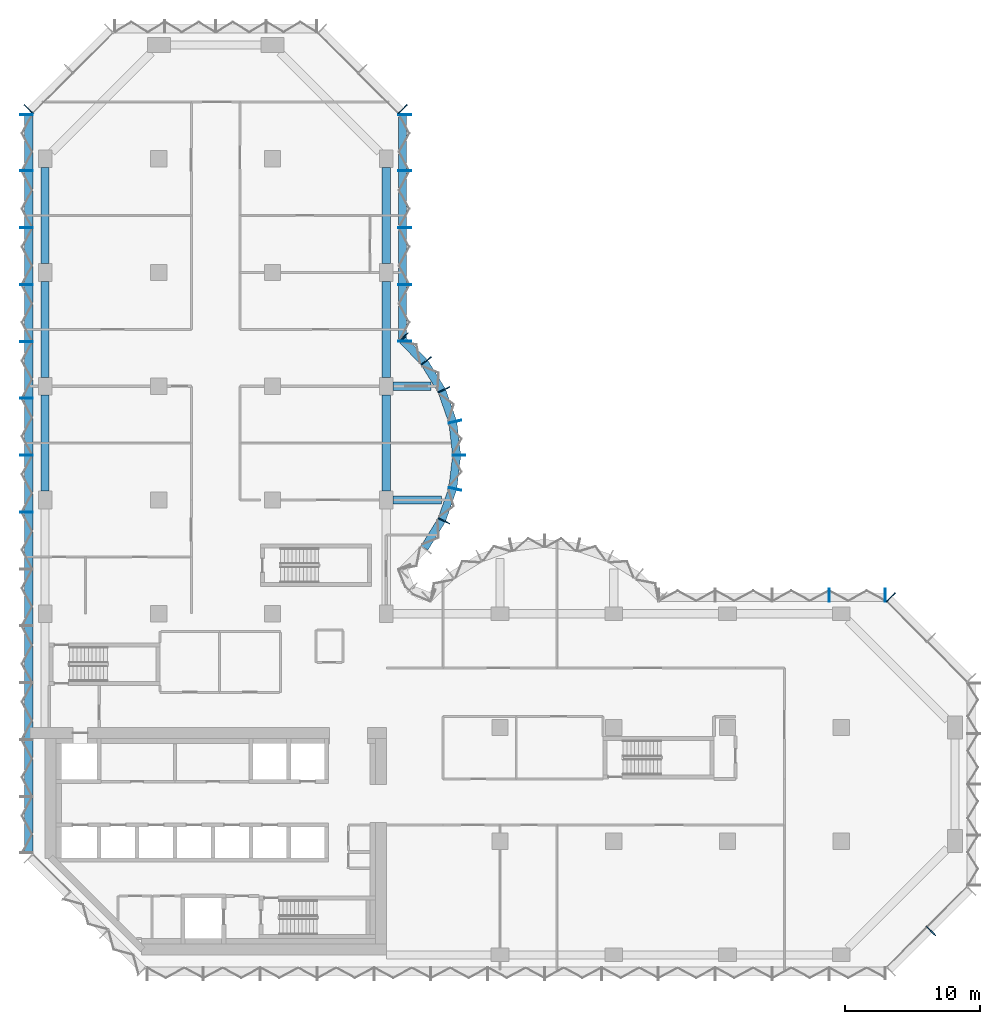
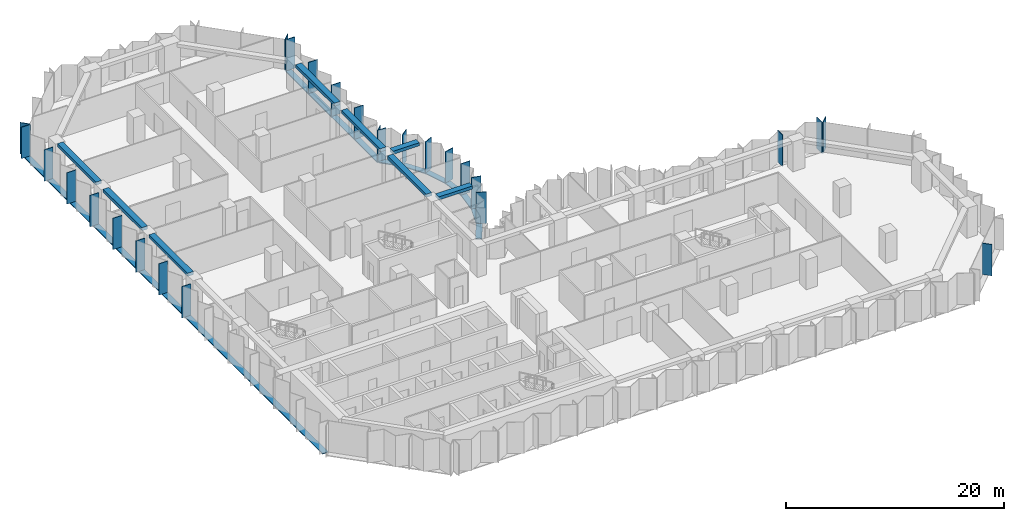
# One storey, part 3 of 13: 35 members, 8 beams, 8 elements without a shape of their own.
"""IFC4 building model written with IfcOpenShell, lengths in metres."""

from ifc_helpers import new_model, si_unit, direction, frame, origin, origin_2d, place, context, subcontext, project, spatial, rectangle, extrude, material, material_profile, profile_set, type_object, element, aggregate, save


model = new_model("IFC4")

# Units and contexts
model_context = context("Model", 3, precision=1e-05, world=origin(), true_north=direction((0.0, 1.0)))
body_context = subcontext(model_context, "Body", "Model", "MODEL_VIEW")
ifc_project = project(units=[si_unit("LENGTHUNIT", "METRE"), si_unit("AREAUNIT", "SQUARE_METRE"), si_unit("VOLUMEUNIT", "CUBIC_METRE"), si_unit("PLANEANGLEUNIT", "RADIAN"), si_unit("MASSUNIT", "GRAM", prefix="KILO")], contexts=[model_context])

# Site, building, storey
site_placement = place(None, origin())
site = spatial("IfcSite", under=ifc_project, at=site_placement, CompositionType="ELEMENT")
building_placement = place(site_placement, origin())
building = spatial("IfcBuilding", under=site, at=building_placement, Name="Brevane Broadcast Tower", CompositionType="ELEMENT")
storey_placement = place(building_placement, frame((0.0, 0.0, 91.699951171875)))
storey = spatial("IfcBuildingStorey", under=building, at=storey_placement, Name="L21", CompositionType="ELEMENT", Elevation=91.699951171875)

# Curtain wall, member
ifc_material_1 = material(Name="Aluminium 6063-T6 bronze anodised", Category="aluminium")
curtain_wall_type = type_object("IfcCurtainWallType", Name="CW-1 curtain wall", PredefinedType="NOTDEFINED", material=ifc_material_1)
curtain_wall_1_placement = place(storey_placement, origin())
curtain_wall_1 = element("IfcCurtainWall", 1, at=curtain_wall_1_placement, inside=storey, type_object=curtain_wall_type, Name="CW-1 typical tilted unit L21 south-east chamfer", PredefinedType="NOTDEFINED")
ifc_material_profile_1 = material_profile(ifc_material_1, rectangle(XDim=0.949951171875, YDim=0.070068359375, at=origin_2d()), Name="RECT 70x950")
ifc_profile_set_1 = profile_set([ifc_material_profile_1], Name="Aluminium 6063-T6 bronze anodised")
member_type_1 = type_object("IfcMemberType", Name="CW-1 mullion 70x950", PredefinedType="MULLION", material=ifc_profile_set_1)
member_1_placement = place(storey_placement, frame((65.435791015625, 1.76416015625, -0.14990234375), z_axis=(0.0, 0.0, 1.0), x_axis=(-0.707106781187, 0.707106781187, 0.0)))
member_1 = element("IfcMember", 2, at=member_1_placement, type_object=member_type_1, Name="CW-1 mullion", PredefinedType="MULLION", context=body_context, shape_type="SweptSolid", body=[
    extrude(rectangle(XDim=0.949951171875, YDim=0.070068359375, at=origin_2d()), origin(), (0.0, 0.0, 1.0), 3.5),
])
aggregate(curtain_wall_1, [member_1])

curtain_wall_2_placement = place(storey_placement, origin())
curtain_wall_2 = element("IfcCurtainWall", 3, at=curtain_wall_2_placement, inside=storey, type_object=curtain_wall_type, Name="CW-1 typical tilted unit L21 north-east chamfer", PredefinedType="NOTDEFINED")
member_2_placement = place(storey_placement, frame((62.460693359375, 26.4111328125, -0.14990234375), z_axis=(0.0, 0.0, 1.0), x_axis=(-0.707106781187, -0.707106781187, 0.0)))
member_2 = element("IfcMember", 4, at=member_2_placement, type_object=member_type_1, Name="CW-1 mullion", PredefinedType="MULLION", context=body_context, shape_type="SweptSolid", body=[
    extrude(rectangle(XDim=0.949951171875, YDim=0.070068359375, at=origin_2d()), origin(), (0.0, 0.0, 1.0), 3.5),
])
aggregate(curtain_wall_2, [member_2])

# Curtain wall, members
curtain_wall_3_placement = place(storey_placement, origin())
curtain_wall_3 = element("IfcCurtainWall", 5, at=curtain_wall_3_placement, inside=storey, type_object=curtain_wall_type, Name="CW-1 typical tilted unit L21 east arm north face", PredefinedType="NOTDEFINED")
member_3_placement = place(storey_placement, frame((62.06494140625, 26.574951171875, -0.14990234375), z_axis=(0.0, 0.0, 1.0), x_axis=(0.0, -1.0, 0.0)))
member_3 = element("IfcMember", 6, at=member_3_placement, type_object=member_type_1, Name="CW-1 mullion", PredefinedType="MULLION", context=body_context, shape_type="SweptSolid", body=[
    extrude(rectangle(XDim=0.949951171875, YDim=0.070068359375, at=origin_2d()), origin(), (0.0, 0.0, 1.0), 3.5),
])
member_4_placement = place(storey_placement, frame((57.89990234375, 26.574951171875, -0.14990234375), z_axis=(0.0, 0.0, 1.0), x_axis=(0.0, -1.0, 0.0)))
member_4 = element("IfcMember", 7, at=member_4_placement, type_object=member_type_1, Name="CW-1 mullion", PredefinedType="MULLION", context=body_context, shape_type="SweptSolid", body=[
    extrude(rectangle(XDim=0.949951171875, YDim=0.070068359375, at=origin_2d()), origin(), (0.0, 0.0, 1.0), 3.5),
])
aggregate(curtain_wall_3, [member_3, member_4])

curtain_wall_4_placement = place(storey_placement, origin())
curtain_wall_4 = element("IfcCurtainWall", 8, at=curtain_wall_4_placement, inside=storey, type_object=curtain_wall_type, Name="CW-1 typical tilted unit L21 north bow", PredefinedType="NOTDEFINED")
member_5_placement = place(storey_placement, frame((29.4580078125, 32.05322265625, -0.14990234375), z_axis=(0.0, 0.0, 1.0), x_axis=(-0.902860508933, 0.429933601163, 0.0)))
member_5 = element("IfcMember", 9, at=member_5_placement, type_object=member_type_1, Name="CW-1 mullion", PredefinedType="MULLION", context=body_context, shape_type="SweptSolid", body=[
    extrude(rectangle(XDim=0.949951171875, YDim=0.070068359375, at=origin_2d()), origin(), (0.0, 0.0, 1.0), 3.5),
])
member_6_placement = place(storey_placement, frame((30.28076171875, 34.411865234375, -0.14990234375), z_axis=(0.0, 0.0, 1.0), x_axis=(-0.974403430594, 0.224806482215, 0.0)))
member_6 = element("IfcMember", 10, at=member_6_placement, type_object=member_type_1, Name="CW-1 mullion", PredefinedType="MULLION", context=body_context, shape_type="SweptSolid", body=[
    extrude(rectangle(XDim=0.949951171875, YDim=0.070068359375, at=origin_2d()), origin(), (0.0, 0.0, 1.0), 3.5),
])
member_7_placement = place(storey_placement, frame((30.574951171875, 36.89990234375, -0.14990234375), z_axis=(0.0, 0.0, 1.0), x_axis=(-1.0, 0.0, 0.0)))
member_7 = element("IfcMember", 11, at=member_7_placement, type_object=member_type_1, Name="CW-1 mullion", PredefinedType="MULLION", context=body_context, shape_type="SweptSolid", body=[
    extrude(rectangle(XDim=0.949951171875, YDim=0.070068359375, at=origin_2d()), origin(), (0.0, 0.0, 1.0), 3.5),
])
member_8_placement = place(storey_placement, frame((30.28076171875, 39.38818359375, -0.14990234375), z_axis=(0.0, 0.0, 1.0), x_axis=(-0.974403430594, -0.224806482215, 0.0)))
member_8 = element("IfcMember", 12, at=member_8_placement, type_object=member_type_1, Name="CW-1 mullion", PredefinedType="MULLION", context=body_context, shape_type="SweptSolid", body=[
    extrude(rectangle(XDim=0.949951171875, YDim=0.070068359375, at=origin_2d()), origin(), (0.0, 0.0, 1.0), 3.5),
])
member_9_placement = place(storey_placement, frame((29.4580078125, 41.746826171875, -0.14990234375), z_axis=(0.0, 0.0, 1.0), x_axis=(-0.902860508933, -0.429933601163, 0.0)))
member_9 = element("IfcMember", 13, at=member_9_placement, type_object=member_type_1, Name="CW-1 mullion", PredefinedType="MULLION", context=body_context, shape_type="SweptSolid", body=[
    extrude(rectangle(XDim=0.949951171875, YDim=0.070068359375, at=origin_2d()), origin(), (0.0, 0.0, 1.0), 3.5),
])
member_10_placement = place(storey_placement, frame((28.1455078125, 43.8720703125, -0.14990234375), z_axis=(0.0, 0.0, 1.0), x_axis=(-0.788706642853, -0.614769738617, 0.0)))
member_10 = element("IfcMember", 14, at=member_10_placement, type_object=member_type_1, Name="CW-1 mullion", PredefinedType="MULLION", context=body_context, shape_type="SweptSolid", body=[
    extrude(rectangle(XDim=0.949951171875, YDim=0.070068359375, at=origin_2d()), origin(), (0.0, 0.0, 1.0), 3.5),
])
member_11_placement = place(storey_placement, frame((26.465087890625, 45.60595703125, -0.14990234375), z_axis=(0.0, 0.0, 1.0), x_axis=(-0.717253872699, -0.696811941702, 0.0)))
member_11 = element("IfcMember", 15, at=member_11_placement, type_object=member_type_1, Name="CW-1 mullion", PredefinedType="MULLION", context=body_context, shape_type="SweptSolid", body=[
    extrude(rectangle(XDim=0.949951171875, YDim=0.070068359375, at=origin_2d()), origin(), (0.0, 0.0, 1.0), 3.5),
])

curtain_wall_5_placement = place(storey_placement, origin())
curtain_wall_5 = element("IfcCurtainWall", 16, at=curtain_wall_5_placement, inside=storey, type_object=curtain_wall_type, Name="CW-1 typical tilted unit L21 north arm east face", PredefinedType="NOTDEFINED")
member_12_placement = place(storey_placement, frame((26.574951171875, 45.3349609375, -0.14990234375), z_axis=(0.0, 0.0, 1.0), x_axis=(-1.0, 0.0, 0.0)))
member_12 = element("IfcMember", 17, at=member_12_placement, type_object=member_type_1, Name="CW-1 mullion", PredefinedType="MULLION", context=body_context, shape_type="SweptSolid", body=[
    extrude(rectangle(XDim=0.949951171875, YDim=0.070068359375, at=origin_2d()), origin(), (0.0, 0.0, 1.0), 3.5),
])
member_13_placement = place(storey_placement, frame((26.574951171875, 49.5, -0.14990234375), z_axis=(0.0, 0.0, 1.0), x_axis=(-1.0, 0.0, 0.0)))
member_13 = element("IfcMember", 18, at=member_13_placement, type_object=member_type_1, Name="CW-1 mullion", PredefinedType="MULLION", context=body_context, shape_type="SweptSolid", body=[
    extrude(rectangle(XDim=0.949951171875, YDim=0.070068359375, at=origin_2d()), origin(), (0.0, 0.0, 1.0), 3.5),
])
member_14_placement = place(storey_placement, frame((26.574951171875, 53.699951171875, -0.14990234375), z_axis=(0.0, 0.0, 1.0), x_axis=(-1.0, 0.0, 0.0)))
member_14 = element("IfcMember", 19, at=member_14_placement, type_object=member_type_1, Name="CW-1 mullion", PredefinedType="MULLION", context=body_context, shape_type="SweptSolid", body=[
    extrude(rectangle(XDim=0.949951171875, YDim=0.070068359375, at=origin_2d()), origin(), (0.0, 0.0, 1.0), 3.5),
])
member_15_placement = place(storey_placement, frame((26.574951171875, 57.89990234375, -0.14990234375), z_axis=(0.0, 0.0, 1.0), x_axis=(-1.0, 0.0, 0.0)))
member_15 = element("IfcMember", 20, at=member_15_placement, type_object=member_type_1, Name="CW-1 mullion", PredefinedType="MULLION", context=body_context, shape_type="SweptSolid", body=[
    extrude(rectangle(XDim=0.949951171875, YDim=0.070068359375, at=origin_2d()), origin(), (0.0, 0.0, 1.0), 3.5),
])
member_16_placement = place(storey_placement, frame((26.574951171875, 62.06494140625, -0.14990234375), z_axis=(0.0, 0.0, 1.0), x_axis=(-1.0, 0.0, 0.0)))
member_16 = element("IfcMember", 21, at=member_16_placement, type_object=member_type_1, Name="CW-1 mullion", PredefinedType="MULLION", context=body_context, shape_type="SweptSolid", body=[
    extrude(rectangle(XDim=0.949951171875, YDim=0.070068359375, at=origin_2d()), origin(), (0.0, 0.0, 1.0), 3.5),
])

# Curtain wall, member
curtain_wall_6_placement = place(storey_placement, origin())
curtain_wall_6 = element("IfcCurtainWall", 22, at=curtain_wall_6_placement, inside=storey, type_object=curtain_wall_type, Name="CW-1 typical tilted unit L21 north arm north-east chamfer", PredefinedType="NOTDEFINED")
member_17_placement = place(storey_placement, frame((26.4111328125, 62.460693359375, -0.14990234375), z_axis=(0.0, 0.0, 1.0), x_axis=(-0.707106781187, -0.707106781187, 0.0)))
member_17 = element("IfcMember", 23, at=member_17_placement, type_object=member_type_1, Name="CW-1 mullion", PredefinedType="MULLION", context=body_context, shape_type="SweptSolid", body=[
    extrude(rectangle(XDim=0.949951171875, YDim=0.070068359375, at=origin_2d()), origin(), (0.0, 0.0, 1.0), 3.5),
])
aggregate(curtain_wall_6, [member_17])

curtain_wall_7_placement = place(storey_placement, origin())
curtain_wall_7 = element("IfcCurtainWall", 24, at=curtain_wall_7_placement, inside=storey, type_object=curtain_wall_type, Name="CW-1 typical tilted unit L21 north-west chamfer", PredefinedType="NOTDEFINED")
member_18_placement = place(storey_placement, frame((-1.211181640625, 62.460693359375, -0.14990234375), z_axis=(0.0, 0.0, 1.0), x_axis=(0.707106781187, -0.707106781187, 0.0)))
member_18 = element("IfcMember", 25, at=member_18_placement, type_object=member_type_1, Name="CW-1 mullion", PredefinedType="MULLION", context=body_context, shape_type="SweptSolid", body=[
    extrude(rectangle(XDim=0.949951171875, YDim=0.070068359375, at=origin_2d()), origin(), (0.0, 0.0, 1.0), 3.5),
])
aggregate(curtain_wall_7, [member_18])

# Curtain wall, members
curtain_wall_8_placement = place(storey_placement, origin())
curtain_wall_8 = element("IfcCurtainWall", 26, at=curtain_wall_8_placement, inside=storey, type_object=curtain_wall_type, Name="CW-1 typical tilted unit L21 west face", PredefinedType="NOTDEFINED")
member_19_placement = place(storey_placement, frame((-1.375, 62.06494140625, -0.14990234375), z_axis=(0.0, 0.0, 1.0), x_axis=(1.0, 0.0, 0.0)))
member_19 = element("IfcMember", 27, at=member_19_placement, type_object=member_type_1, Name="CW-1 mullion", PredefinedType="MULLION", context=body_context, shape_type="SweptSolid", body=[
    extrude(rectangle(XDim=0.949951171875, YDim=0.070068359375, at=origin_2d()), origin(), (0.0, 0.0, 1.0), 3.5),
])
member_20_placement = place(storey_placement, frame((-1.375, 57.89990234375, -0.14990234375), z_axis=(0.0, 0.0, 1.0), x_axis=(1.0, 0.0, 0.0)))
member_20 = element("IfcMember", 28, at=member_20_placement, type_object=member_type_1, Name="CW-1 mullion", PredefinedType="MULLION", context=body_context, shape_type="SweptSolid", body=[
    extrude(rectangle(XDim=0.949951171875, YDim=0.070068359375, at=origin_2d()), origin(), (0.0, 0.0, 1.0), 3.5),
])
member_21_placement = place(storey_placement, frame((-1.375, 53.699951171875, -0.14990234375), z_axis=(0.0, 0.0, 1.0), x_axis=(1.0, 0.0, 0.0)))
member_21 = element("IfcMember", 29, at=member_21_placement, type_object=member_type_1, Name="CW-1 mullion", PredefinedType="MULLION", context=body_context, shape_type="SweptSolid", body=[
    extrude(rectangle(XDim=0.949951171875, YDim=0.070068359375, at=origin_2d()), origin(), (0.0, 0.0, 1.0), 3.5),
])
member_22_placement = place(storey_placement, frame((-1.375, 49.5, -0.14990234375), z_axis=(0.0, 0.0, 1.0), x_axis=(1.0, 0.0, 0.0)))
member_22 = element("IfcMember", 30, at=member_22_placement, type_object=member_type_1, Name="CW-1 mullion", PredefinedType="MULLION", context=body_context, shape_type="SweptSolid", body=[
    extrude(rectangle(XDim=0.949951171875, YDim=0.070068359375, at=origin_2d()), origin(), (0.0, 0.0, 1.0), 3.5),
])
member_23_placement = place(storey_placement, frame((-1.375, 45.300048828125, -0.14990234375), z_axis=(0.0, 0.0, 1.0), x_axis=(1.0, 0.0, 0.0)))
member_23 = element("IfcMember", 31, at=member_23_placement, type_object=member_type_1, Name="CW-1 mullion", PredefinedType="MULLION", context=body_context, shape_type="SweptSolid", body=[
    extrude(rectangle(XDim=0.949951171875, YDim=0.070068359375, at=origin_2d()), origin(), (0.0, 0.0, 1.0), 3.5),
])
member_24_placement = place(storey_placement, frame((-1.375, 41.10009765625, -0.14990234375), z_axis=(0.0, 0.0, 1.0), x_axis=(1.0, 0.0, 0.0)))
member_24 = element("IfcMember", 32, at=member_24_placement, type_object=member_type_1, Name="CW-1 mullion", PredefinedType="MULLION", context=body_context, shape_type="SweptSolid", body=[
    extrude(rectangle(XDim=0.949951171875, YDim=0.070068359375, at=origin_2d()), origin(), (0.0, 0.0, 1.0), 3.5),
])
member_25_placement = place(storey_placement, frame((-1.375, 36.89990234375, -0.14990234375), z_axis=(0.0, 0.0, 1.0), x_axis=(1.0, 0.0, 0.0)))
member_25 = element("IfcMember", 33, at=member_25_placement, type_object=member_type_1, Name="CW-1 mullion", PredefinedType="MULLION", context=body_context, shape_type="SweptSolid", body=[
    extrude(rectangle(XDim=0.949951171875, YDim=0.070068359375, at=origin_2d()), origin(), (0.0, 0.0, 1.0), 3.5),
])
member_26_placement = place(storey_placement, frame((-1.375, 32.699951171875, -0.14990234375), z_axis=(0.0, 0.0, 1.0), x_axis=(1.0, 0.0, 0.0)))
member_26 = element("IfcMember", 34, at=member_26_placement, type_object=member_type_1, Name="CW-1 mullion", PredefinedType="MULLION", context=body_context, shape_type="SweptSolid", body=[
    extrude(rectangle(XDim=0.949951171875, YDim=0.070068359375, at=origin_2d()), origin(), (0.0, 0.0, 1.0), 3.5),
])

# Member
ifc_material_profile_2 = material_profile(ifc_material_1, rectangle(XDim=0.60009765625, YDim=0.10009765625, at=origin_2d()), Name="RECT 100x600")
ifc_profile_set_2 = profile_set([ifc_material_profile_2], Name="Aluminium 6063-T6 bronze anodised")
member_type_2 = type_object("IfcMemberType", Name="CW-1 transom 100x600", PredefinedType="USERDEFINED", material=ifc_profile_set_2)
member_27_placement = place(storey_placement, frame((28.023193359375, 30.0576171875, -0.199951171875), z_axis=(0.525427766759, 0.850838211365, 0.0), x_axis=(-0.850838211365, 0.525427766759, 0.0)))
member_27 = element("IfcMember", 35, at=member_27_placement, type_object=member_type_2, Name="CW-1 transom", ObjectType="TRANSOM", PredefinedType="USERDEFINED", context=body_context, shape_type="SweptSolid", body=[
    extrude(rectangle(XDim=0.60009765625, YDim=0.10009765625, at=origin_2d()), origin(), (0.0, 0.0, 1.0), 2.394775390625),
])

member_28_placement = place(storey_placement, frame((29.314208984375, 32.163818359375, -0.199951171875), z_axis=(0.329378497041, 0.944197969542, 0.0), x_axis=(-0.944197969542, 0.329378497041, 0.0)))
member_28 = element("IfcMember", 36, at=member_28_placement, type_object=member_type_2, Name="CW-1 transom", ObjectType="TRANSOM", PredefinedType="USERDEFINED", context=body_context, shape_type="SweptSolid", body=[
    extrude(rectangle(XDim=0.60009765625, YDim=0.10009765625, at=origin_2d()), origin(), (0.0, 0.0, 1.0), 2.394775390625),
])

member_29_placement = place(storey_placement, frame((30.117431640625, 34.499755859375, -0.199951171875), z_axis=(0.117603307202, 0.993060653805, 0.0), x_axis=(-0.993060653805, 0.117603307202, 0.0)))
member_29 = element("IfcMember", 37, at=member_29_placement, type_object=member_type_2, Name="CW-1 transom", ObjectType="TRANSOM", PredefinedType="USERDEFINED", context=body_context, shape_type="SweptSolid", body=[
    extrude(rectangle(XDim=0.60009765625, YDim=0.10009765625, at=origin_2d()), origin(), (0.0, 0.0, 1.0), 2.397705078125),
])

member_30_placement = place(storey_placement, frame((30.3994140625, 36.9189453125, -0.199951171875), z_axis=(-0.117591417, 0.993062061831, 0.0), x_axis=(-0.993062061831, -0.117591417, 0.0)))
member_30 = element("IfcMember", 38, at=member_30_placement, type_object=member_type_2, Name="CW-1 transom", ObjectType="TRANSOM", PredefinedType="USERDEFINED", context=body_context, shape_type="SweptSolid", body=[
    extrude(rectangle(XDim=0.60009765625, YDim=0.10009765625, at=origin_2d()), origin(), (0.0, 0.0, 1.0), 2.39794921875),
])

member_31_placement = place(storey_placement, frame((30.10302734375, 39.375, -0.199951171875), z_axis=(-0.329378497041, 0.944197969542, 0.0), x_axis=(-0.944197969542, -0.329378497041, 0.0)))
member_31 = element("IfcMember", 39, at=member_31_placement, type_object=member_type_2, Name="CW-1 transom", ObjectType="TRANSOM", PredefinedType="USERDEFINED", context=body_context, shape_type="SweptSolid", body=[
    extrude(rectangle(XDim=0.60009765625, YDim=0.10009765625, at=origin_2d()), origin(), (0.0, 0.0, 1.0), 2.394775390625),
])

member_32_placement = place(storey_placement, frame((29.281494140625, 41.704833984375, -0.199951171875), z_axis=(-0.525473345162, 0.850810063131, 0.0), x_axis=(-0.850810063131, -0.525473345162, 0.0)))
member_32 = element("IfcMember", 40, at=member_32_placement, type_object=member_type_2, Name="CW-1 transom", ObjectType="TRANSOM", PredefinedType="USERDEFINED", context=body_context, shape_type="SweptSolid", body=[
    extrude(rectangle(XDim=0.60009765625, YDim=0.10009765625, at=origin_2d()), origin(), (0.0, 0.0, 1.0), 2.39453125),
])

member_33_placement = place(storey_placement, frame((27.974365234375, 43.800537109375, -0.199951171875), z_axis=(-0.696823999134, 0.71724215871, 0.0), x_axis=(-0.71724215871, -0.696823999134, 0.0)))
member_33 = element("IfcMember", 41, at=member_33_placement, type_object=member_type_2, Name="CW-1 transom", ObjectType="TRANSOM", PredefinedType="USERDEFINED", context=body_context, shape_type="SweptSolid", body=[
    extrude(rectangle(XDim=0.60009765625, YDim=0.10009765625, at=origin_2d()), origin(), (0.0, 0.0, 1.0), 2.247802734375),
])

aggregate(curtain_wall_4, [member_5, member_6, member_7, member_8, member_9, member_10, member_11, member_27, member_28, member_29, member_30, member_31, member_32, member_33])

member_34_placement = place(storey_placement, frame((26.39990234375, 45.300048828125, -0.199951171875), z_axis=(0.0, 1.0, 0.0), x_axis=(-1.0, 0.0, 0.0)))
member_34 = element("IfcMember", 42, at=member_34_placement, type_object=member_type_2, Name="CW-1 transom", ObjectType="TRANSOM", PredefinedType="USERDEFINED", context=body_context, shape_type="SweptSolid", body=[
    extrude(rectangle(XDim=0.60009765625, YDim=0.10009765625, at=origin_2d()), origin(), (0.0, 0.0, 1.0), 16.800048828125),
])

aggregate(curtain_wall_5, [member_12, member_13, member_14, member_15, member_16, member_34])

member_35_placement = place(storey_placement, frame((-1.199951171875, 62.10009765625, -0.199951171875), z_axis=(0.0, -1.0, 0.0), x_axis=(1.0, 0.0, 0.0)))
member_35 = element("IfcMember", 43, at=member_35_placement, type_object=member_type_2, Name="CW-1 transom", ObjectType="TRANSOM", PredefinedType="USERDEFINED", context=body_context, shape_type="SweptSolid", body=[
    extrude(rectangle(XDim=0.60009765625, YDim=0.10009765625, at=origin_2d()), origin(), (0.0, 0.0, 1.0), 54.60009765625),
])

aggregate(curtain_wall_8, [member_19, member_20, member_21, member_22, member_23, member_24, member_25, member_26, member_35])

# Beams
ifc_material_2 = material(Name="Concrete C40/50", Category="concrete")
ifc_material_profile_3 = material_profile(ifc_material_2, rectangle(XDim=0.60009765625, YDim=0.35009765625, at=origin_2d()), Name="RC 600x350")
ifc_profile_set_3 = profile_set([ifc_material_profile_3], Name="Concrete C40/50")
beam_type_1 = type_object("IfcBeamType", Name="RC BRACKET BEAM 600x350 C40/50", PredefinedType="BEAM", material=ifc_profile_set_3)
beam_1_placement = place(storey_placement, frame((25.699951171875, 33.60009765625, 3.175048828125), z_axis=(1.0, 0.0, 0.0), x_axis=(0.0, 1.0, 0.0)))
element("IfcBeam", 44, at=beam_1_placement, inside=storey, type_object=beam_type_1, Name="EB2 L21-1", PredefinedType="BEAM", context=body_context, shape_type="SweptSolid", body=[
    extrude(rectangle(XDim=0.60009765625, YDim=0.35009765625, at=origin_2d()), origin(), (0.0, 0.0, 1.0), 3.56201171875),
])
beam_2_placement = place(storey_placement, frame((25.699951171875, 42.0, 3.175048828125), z_axis=(1.0, 0.0, 0.0), x_axis=(0.0, 1.0, 0.0)))
element("IfcBeam", 45, at=beam_2_placement, inside=storey, type_object=beam_type_1, Name="EB2 L21-2", PredefinedType="BEAM", context=body_context, shape_type="SweptSolid", body=[
    extrude(rectangle(XDim=0.60009765625, YDim=0.35009765625, at=origin_2d()), origin(), (0.0, 0.0, 1.0), 2.8115234375),
])
ifc_material_profile_4 = material_profile(ifc_material_2, rectangle(XDim=0.60009765625, YDim=0.35009765625, at=origin_2d()), Name="RC 600x350")
ifc_profile_set_4 = profile_set([ifc_material_profile_4], Name="Concrete C40/50")
beam_type_2 = type_object("IfcBeamType", Name="RC SPANDREL BEAM 600x350 C40/50", PredefinedType="SPANDREL", material=ifc_profile_set_4)
for number, where, z_axis, x_axis, name in (
    (46, (25.199951171875, 34.25, 3.175048828125), (0.0, 1.0, 0.0), (-1.0, 0.0, 0.0), "EB1 L21-13"),
    (47, (25.199951171875, 42.64990234375, 3.175048828125), (0.0, 1.0, 0.0), (-1.0, 0.0, 0.0), "EB1 L21-14"),
):
    element("IfcBeam", number, at=place(storey_placement, frame(where, z_axis=z_axis, x_axis=x_axis)), inside=storey, type_object=beam_type_2, Name=name, PredefinedType="SPANDREL", context=body_context, shape_type="SweptSolid", body=[
        extrude(rectangle(XDim=0.60009765625, YDim=0.35009765625, at=origin_2d()), origin(), (0.0, 0.0, 1.0), 7.10009765625),
    ])
for number, where, z_axis, x_axis, name in (
    (48, (25.199951171875, 51.050048828125, 3.175048828125), (0.0, 1.0, 0.0), (-1.0, 0.0, 0.0), "EB1 L21-15"),
    (49, (0.0, 58.14990234375, 3.175048828125), (0.0, -1.0, 0.0), (1.0, 0.0, 0.0), "EB1 L21-19"),
):
    element("IfcBeam", number, at=place(storey_placement, frame(where, z_axis=z_axis, x_axis=x_axis)), inside=storey, type_object=beam_type_2, Name=name, PredefinedType="SPANDREL", context=body_context, shape_type="SweptSolid", body=[
        extrude(rectangle(XDim=0.60009765625, YDim=0.35009765625, at=origin_2d()), origin(), (0.0, 0.0, 1.0), 7.099853515625),
    ])
for number, where, z_axis, x_axis, name in (
    (50, (0.0, 49.75, 3.175048828125), (0.0, -1.0, 0.0), (1.0, 0.0, 0.0), "EB1 L21-20"),
    (51, (0.0, 41.35009765625, 3.175048828125), (0.0, -1.0, 0.0), (1.0, 0.0, 0.0), "EB1 L21-21"),
):
    element("IfcBeam", number, at=place(storey_placement, frame(where, z_axis=z_axis, x_axis=x_axis)), inside=storey, type_object=beam_type_2, Name=name, PredefinedType="SPANDREL", context=body_context, shape_type="SweptSolid", body=[
        extrude(rectangle(XDim=0.60009765625, YDim=0.35009765625, at=origin_2d()), origin(), (0.0, 0.0, 1.0), 7.10009765625),
    ])

save(model, "model.ifc")
